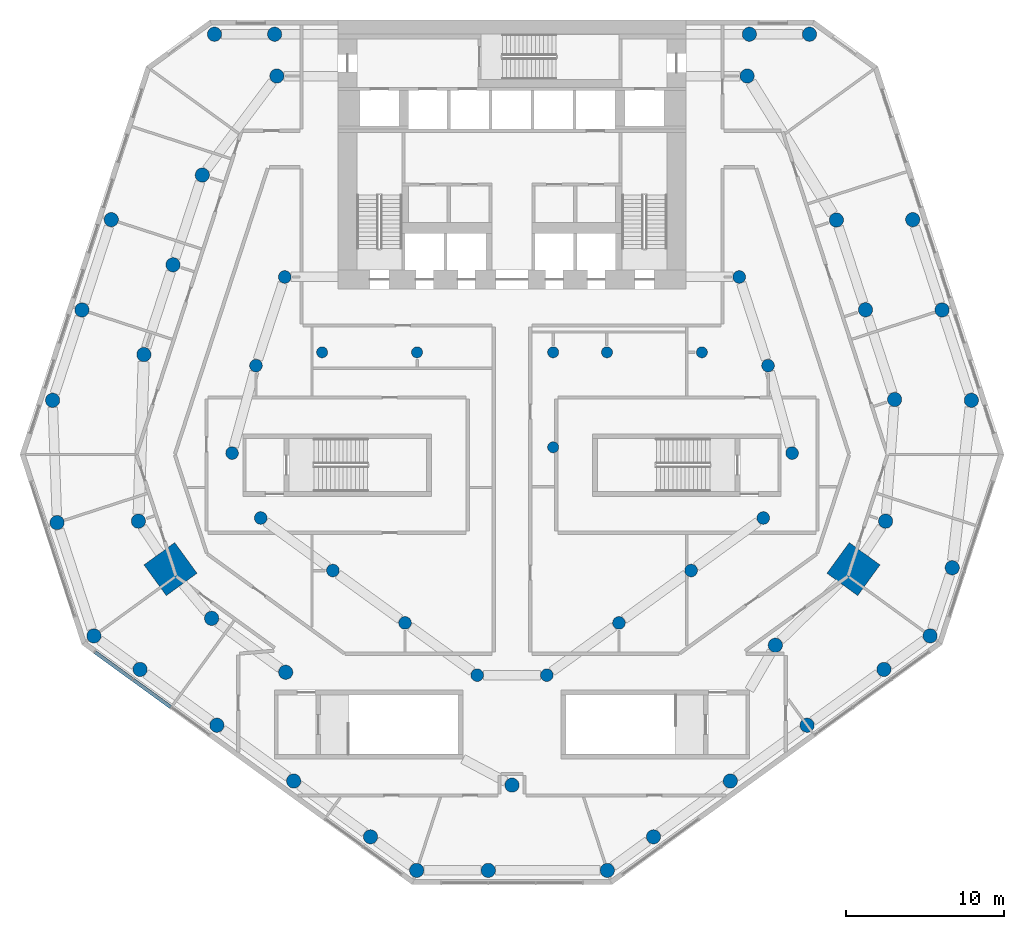
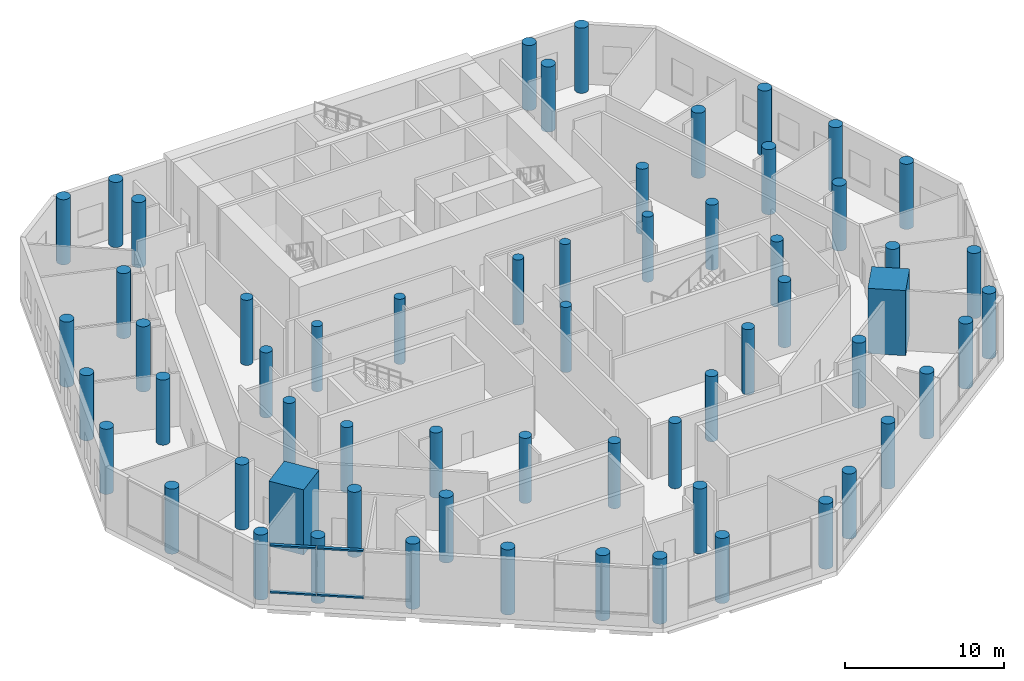
# One storey, part 1 of 15: 61 columns, 4 members, 1 element without a shape of its own.
"""IFC4 building model written with IfcOpenShell, lengths in metres."""

from ifc_helpers import new_model, si_unit, direction, frame, origin, origin_2d, place, context, subcontext, project, spatial, rectangle, circle, extrude, material, material_profile, profile_set, type_object, element, aggregate, save


model = new_model("IFC4")

# Units and contexts
model_context = context("Model", 3, precision=1e-05, world=origin(), true_north=direction((0.0, 1.0)))
body_context = subcontext(model_context, "Body", "Model", "MODEL_VIEW")
ifc_project = project(units=[si_unit("LENGTHUNIT", "METRE"), si_unit("AREAUNIT", "SQUARE_METRE"), si_unit("VOLUMEUNIT", "CUBIC_METRE"), si_unit("PLANEANGLEUNIT", "RADIAN"), si_unit("MASSUNIT", "GRAM", prefix="KILO")], contexts=[model_context])

# Site, building, storey
site_placement = place(None, origin())
site = spatial("IfcSite", under=ifc_project, at=site_placement, CompositionType="ELEMENT")
building_placement = place(site_placement, origin())
building = spatial("IfcBuilding", under=site, at=building_placement, Name="White Candle Pilgrim Tower", CompositionType="ELEMENT")
storey_placement = place(building_placement, frame((0.0, 0.0, 34.0)))
storey = spatial("IfcBuildingStorey", under=building, at=storey_placement, Name="L05", CompositionType="ELEMENT", Elevation=34.0)

# Columns
ifc_material_1 = material(Name="Concrete C80/95", Category="concrete")
ifc_material_profile_1 = material_profile(ifc_material_1, circle(Radius=0.35009765625, at=origin_2d()), Name="RC-COL D700")
ifc_profile_set_1 = profile_set([ifc_material_profile_1], Name="Concrete C80/95")
column_type_1 = type_object("IfcColumnType", Name="Interior column RC-COL D700 C80/95", PredefinedType="COLUMN", material=ifc_profile_set_1)
for number, where, z_axis, x_axis, name in (
    (1, (58.0, 67.0, 0.0), (0.0, 0.0, 1.0), (1.0, 0.0, 0.0), "L05 column I01"),
    (2, (64.0, 67.0, 0.0), (0.0, 0.0, 1.0), (1.0, 0.0, 0.0), "L05 column I02"),
    (3, (72.60009765625, 61.0, 0.0), (0.0, 0.0, 1.0), (1.0, 0.0, 0.0), "L05 column I03"),
    (4, (72.60009765625, 67.0, 0.0), (0.0, 0.0, 1.0), (1.0, 0.0, 0.0), "L05 column I04"),
    (5, (76.0, 67.0, 0.0), (0.0, 0.0, 1.0), (1.0, 0.0, 0.0), "L05 column I05"),
    (6, (82.0, 67.0, 0.0), (0.0, 0.0, 1.0), (1.0, 0.0, 0.0), "L05 column I06"),
):
    element("IfcColumn", number, at=place(storey_placement, frame(where, z_axis=z_axis, x_axis=x_axis)), inside=storey, type_object=column_type_1, Name=name, PredefinedType="COLUMN", context=body_context, shape_type="SweptSolid", body=[
        extrude(circle(Radius=0.35009765625, at=origin_2d()), origin(), (0.0, 0.0, 1.0), 5.0),
    ])
ifc_material_profile_2 = material_profile(ifc_material_1, rectangle(XDim=2.39990234375, YDim=2.39990234375, at=origin_2d()), Name="RC 2400x2400")
ifc_profile_set_2 = profile_set([ifc_material_profile_2], Name="Concrete C80/95")
column_type_2 = type_object("IfcColumnType", Name="Mega column RC 2400x2400 C80/95", PredefinedType="COLUMN", material=ifc_profile_set_2)
for number, where, z_axis, x_axis, name in (
    (7, (48.419921875, 53.300048828125, 0.0), (0.0, 0.0, 1.0), (-0.809016994375, -0.587785252292, 0.0), "L05 mega column T02"),
    (8, (91.580078125, 53.300048828125, 0.0), (0.0, 0.0, 1.0), (0.809016994375, -0.587785252292, 0.0), "L05 mega column T07"),
):
    element("IfcColumn", number, at=place(storey_placement, frame(where, z_axis=z_axis, x_axis=x_axis)), inside=storey, type_object=column_type_2, Name=name, PredefinedType="COLUMN", context=body_context, shape_type="SweptSolid", body=[
        extrude(rectangle(XDim=2.39990234375, YDim=2.39990234375, at=origin_2d()), origin(), (0.0, 0.0, 1.0), 5.0),
    ])
ifc_material_profile_3 = material_profile(ifc_material_1, circle(Radius=0.449951171875, at=origin_2d()), Name="RC-COL D900")
ifc_profile_set_3 = profile_set([ifc_material_profile_3], Name="Concrete C80/95")
column_type_3 = type_object("IfcColumnType", Name="Perimeter column RC-COL D900 C80/95", PredefinedType="COLUMN", material=ifc_profile_set_3)
for number, where, z_axis, x_axis, name in (
    (9, (46.389892578125, 56.330078125, 0.0), (0.0, 0.0, 1.0), (1.0, 0.0, 0.0), "L05 column T01"),
    (10, (51.02001953125, 50.18994140625, 0.0), (0.0, 0.0, 1.0), (1.0, 0.0, 0.0), "L05 column T03"),
    (11, (55.699951171875, 46.780029296875, 0.0), (0.0, 0.0, 1.0), (1.0, 0.0, 0.0), "L05 column T04"),
    (12, (70.0, 39.64990234375, 0.0), (0.0, 0.0, 1.0), (1.0, 0.0, 0.0), "L05 column T05"),
    (13, (86.639892578125, 48.489990234375, 0.0), (0.0, 0.0, 1.0), (1.0, 0.0, 0.0), "L05 column T06"),
    (14, (93.610107421875, 56.330078125, 0.0), (0.0, 0.0, 1.0), (1.0, 0.0, 0.0), "L05 column T08"),
    (15, (94.179931640625, 64.02001953125, 0.0), (0.0, 0.0, 1.0), (1.0, 0.0, 0.0), "L05 column T09"),
    (16, (92.340087890625, 69.68994140625, 0.0), (0.0, 0.0, 1.0), (1.0, 0.0, 0.0), "L05 column T10"),
    (17, (90.5, 75.360107421875, 0.0), (0.0, 0.0, 1.0), (1.0, 0.0, 0.0), "L05 column T11"),
    (18, (84.860107421875, 84.4599609375, 0.0), (0.0, 0.0, 1.0), (1.0, 0.0, 0.0), "L05 column T12"),
    (19, (55.139892578125, 84.4599609375, 0.0), (0.0, 0.0, 1.0), (1.0, 0.0, 0.0), "L05 column T13"),
    (20, (50.429931640625, 78.199951171875, 0.0), (0.0, 0.0, 1.0), (1.0, 0.0, 0.0), "L05 column T14"),
    (21, (48.580078125, 72.530029296875, 0.0), (0.0, 0.0, 1.0), (1.0, 0.0, 0.0), "L05 column T15"),
    (22, (46.739990234375, 66.860107421875, 0.0), (0.0, 0.0, 1.0), (1.0, 0.0, 0.0), "L05 column T16"),
    (23, (41.2529296875, 56.237060546875, 0.0), (0.0, 0.0, 1.0), (1.0, 0.0, 0.0), "L05 column C01"),
    (24, (43.577880859375, 49.0810546875, 0.0), (0.0, 0.0, 1.0), (1.0, 0.0, 0.0), "L05 column C02"),
    (25, (46.49609375, 46.9609375, 0.0), (0.0, 0.0, 1.0), (1.0, 0.0, 0.0), "L05 column C03"),
    (26, (51.35009765625, 43.43408203125, 0.0), (0.0, 0.0, 1.0), (1.0, 0.0, 0.0), "L05 column C04"),
    (27, (56.2041015625, 39.907958984375, 0.0), (0.0, 0.0, 1.0), (1.0, 0.0, 0.0), "L05 column C05"),
    (28, (61.05810546875, 36.381103515625, 0.0), (0.0, 0.0, 1.0), (1.0, 0.0, 0.0), "L05 column C06"),
    (29, (63.97607421875, 34.260986328125, 0.0), (0.0, 0.0, 1.0), (1.0, 0.0, 0.0), "L05 column C07"),
    (30, (68.5, 34.260986328125, 0.0), (0.0, 0.0, 1.0), (1.0, 0.0, 0.0), "L05 column C08"),
    (31, (76.02392578125, 34.260986328125, 0.0), (0.0, 0.0, 1.0), (1.0, 0.0, 0.0), "L05 column C09"),
    (32, (78.94189453125, 36.381103515625, 0.0), (0.0, 0.0, 1.0), (1.0, 0.0, 0.0), "L05 column C10"),
    (33, (83.7958984375, 39.907958984375, 0.0), (0.0, 0.0, 1.0), (1.0, 0.0, 0.0), "L05 column C11"),
    (34, (88.64990234375, 43.43408203125, 0.0), (0.0, 0.0, 1.0), (1.0, 0.0, 0.0), "L05 column C12"),
    (35, (93.50390625, 46.9609375, 0.0), (0.0, 0.0, 1.0), (1.0, 0.0, 0.0), "L05 column C13"),
    (36, (96.422119140625, 49.0810546875, 0.0), (0.0, 0.0, 1.0), (1.0, 0.0, 0.0), "L05 column C14"),
    (37, (97.820068359375, 53.384033203125, 0.0), (0.0, 0.0, 1.0), (1.0, 0.0, 0.0), "L05 column C15"),
    (38, (99.030029296875, 63.968994140625, 0.0), (0.0, 0.0, 1.0), (1.0, 0.0, 0.0), "L05 column C16"),
    (39, (97.176025390625, 69.676025390625, 0.0), (0.0, 0.0, 1.0), (1.0, 0.0, 0.0), "L05 column C17"),
    (40, (95.322021484375, 75.382080078125, 0.0), (0.0, 0.0, 1.0), (1.0, 0.0, 0.0), "L05 column C18"),
    (41, (88.800048828125, 87.10009765625, 0.0), (0.0, 0.0, 1.0), (1.0, 0.0, 0.0), "L05 column C19"),
    (42, (85.0, 87.10009765625, 0.0), (0.0, 0.0, 1.0), (1.0, 0.0, 0.0), "L05 column C20"),
    (43, (55.0, 87.10009765625, 0.0), (0.0, 0.0, 1.0), (1.0, 0.0, 0.0), "L05 column C21"),
    (44, (51.199951171875, 87.10009765625, 0.0), (0.0, 0.0, 1.0), (1.0, 0.0, 0.0), "L05 column C22"),
    (45, (44.677978515625, 75.382080078125, 0.0), (0.0, 0.0, 1.0), (1.0, 0.0, 0.0), "L05 column C23"),
    (46, (42.823974609375, 69.676025390625, 0.0), (0.0, 0.0, 1.0), (1.0, 0.0, 0.0), "L05 column C24"),
    (47, (40.969970703125, 63.968994140625, 0.0), (0.0, 0.0, 1.0), (1.0, 0.0, 0.0), "L05 column C25"),
):
    element("IfcColumn", number, at=place(storey_placement, frame(where, z_axis=z_axis, x_axis=x_axis)), inside=storey, type_object=column_type_3, Name=name, PredefinedType="COLUMN", context=body_context, shape_type="SweptSolid", body=[
        extrude(circle(Radius=0.449951171875, at=origin_2d()), origin(), (0.0, 0.0, 1.0), 5.0),
    ])
ifc_material_profile_4 = material_profile(ifc_material_1, circle(Radius=0.39990234375, at=origin_2d()), Name="RC-COL D800")
ifc_profile_set_4 = profile_set([ifc_material_profile_4], Name="Concrete C80/95")
column_type_4 = type_object("IfcColumnType", Name="Ring column RC-COL D800 C80/95", PredefinedType="COLUMN", material=ifc_profile_set_4)
for number, where, z_axis, x_axis, name in (
    (48, (52.31005859375, 60.6298828125, 0.0), (0.0, 0.0, 1.0), (1.0, 0.0, 0.0), "L05 column R01"),
    (49, (54.1201171875, 56.530029296875, 0.0), (0.0, 0.0, 1.0), (1.0, 0.0, 0.0), "L05 column R02"),
    (50, (58.679931640625, 53.2099609375, 0.0), (0.0, 0.0, 1.0), (1.0, 0.0, 0.0), "L05 column R03"),
    (51, (63.239990234375, 49.89990234375, 0.0), (0.0, 0.0, 1.0), (1.0, 0.0, 0.0), "L05 column R04"),
    (52, (67.800048828125, 46.60009765625, 0.0), (0.0, 0.0, 1.0), (1.0, 0.0, 0.0), "L05 column R05"),
    (53, (72.199951171875, 46.60009765625, 0.0), (0.0, 0.0, 1.0), (1.0, 0.0, 0.0), "L05 column R06"),
    (54, (76.760009765625, 49.89990234375, 0.0), (0.0, 0.0, 1.0), (1.0, 0.0, 0.0), "L05 column R07"),
    (55, (81.320068359375, 53.2099609375, 0.0), (0.0, 0.0, 1.0), (1.0, 0.0, 0.0), "L05 column R08"),
    (56, (85.8798828125, 56.530029296875, 0.0), (0.0, 0.0, 1.0), (1.0, 0.0, 0.0), "L05 column R09"),
    (57, (87.699951171875, 60.6298828125, 0.0), (0.0, 0.0, 1.0), (1.0, 0.0, 0.0), "L05 column R10"),
    (58, (86.179931640625, 66.159912109375, 0.0), (0.0, 0.0, 1.0), (1.0, 0.0, 0.0), "L05 column R11"),
    (59, (84.360107421875, 71.760009765625, 0.0), (0.0, 0.0, 1.0), (1.0, 0.0, 0.0), "L05 column R12"),
    (60, (55.639892578125, 71.760009765625, 0.0), (0.0, 0.0, 1.0), (1.0, 0.0, 0.0), "L05 column R13"),
    (61, (53.820068359375, 66.159912109375, 0.0), (0.0, 0.0, 1.0), (1.0, 0.0, 0.0), "L05 column R14"),
):
    element("IfcColumn", number, at=place(storey_placement, frame(where, z_axis=z_axis, x_axis=x_axis)), inside=storey, type_object=column_type_4, Name=name, PredefinedType="COLUMN", context=body_context, shape_type="SweptSolid", body=[
        extrude(circle(Radius=0.39990234375, at=origin_2d()), origin(), (0.0, 0.0, 1.0), 5.0),
    ])

# Curtain wall, members
ifc_material_2 = material(Name="Aluminium and glass", Category="aluminium")
curtain_wall_type = type_object("IfcCurtainWallType", Name="Curtain wall CW3 refectory and meeting glazing", PredefinedType="NOTDEFINED", material=ifc_material_2)
curtain_wall_placement = place(storey_placement, origin())
curtain_wall = element("IfcCurtainWall", 62, at=curtain_wall_placement, inside=storey, type_object=curtain_wall_type, Name="Curtain wall CW3 L05 SW", PredefinedType="NOTDEFINED")
ifc_material_3 = material(Name="Aluminium", Category="aluminium")
ifc_material_profile_5 = material_profile(ifc_material_3, rectangle(XDim=0.22509765625, YDim=0.1201171875, at=origin_2d()), Name="CW3 transom 120x225")
ifc_profile_set_5 = profile_set([ifc_material_profile_5], Name="Aluminium")
member_type = type_object("IfcMemberType", Name="CW3 transom 120x225", PredefinedType="USERDEFINED", material=ifc_profile_set_5)
member_1_placement = place(storey_placement, frame((43.654541015625, 48.05224609375, 0.9599609375), z_axis=(0.809018973085, -0.587782528822, 0.0), x_axis=(0.587782528822, 0.809018973085, 0.0)))
member_1 = element("IfcMember", 63, at=member_1_placement, type_object=member_type, Name="CW3 transom 1.1", ObjectType="TRANSOM", PredefinedType="USERDEFINED", context=body_context, shape_type="SweptSolid", body=[
    extrude(rectangle(XDim=0.22509765625, YDim=0.1201171875, at=origin_2d()), origin(), (0.0, 0.0, 1.0), 2.909912109375),
])
member_2_placement = place(storey_placement, frame((43.654541015625, 48.05224609375, 4.5400390625), z_axis=(0.809018973085, -0.587782528822, 0.0), x_axis=(0.587782528822, 0.809018973085, 0.0)))
member_2 = element("IfcMember", 64, at=member_2_placement, type_object=member_type, Name="CW3 transom 1.2", ObjectType="TRANSOM", PredefinedType="USERDEFINED", context=body_context, shape_type="SweptSolid", body=[
    extrude(rectangle(XDim=0.22509765625, YDim=0.1201171875, at=origin_2d()), origin(), (0.0, 0.0, 1.0), 2.909912109375),
])
member_3_placement = place(storey_placement, frame((46.057373046875, 46.306396484375, 0.9599609375), z_axis=(0.809016098264, -0.587786485682, 0.0), x_axis=(0.587786485682, 0.809016098264, 0.0)))
member_3 = element("IfcMember", 65, at=member_3_placement, type_object=member_type, Name="CW3 transom 2.1", ObjectType="TRANSOM", PredefinedType="USERDEFINED", context=body_context, shape_type="SweptSolid", body=[
    extrude(rectangle(XDim=0.22509765625, YDim=0.1201171875, at=origin_2d()), origin(), (0.0, 0.0, 1.0), 2.93994140625),
])
member_4_placement = place(storey_placement, frame((46.057373046875, 46.306396484375, 4.5400390625), z_axis=(0.809016098264, -0.587786485682, 0.0), x_axis=(0.587786485682, 0.809016098264, 0.0)))
member_4 = element("IfcMember", 66, at=member_4_placement, type_object=member_type, Name="CW3 transom 2.2", ObjectType="TRANSOM", PredefinedType="USERDEFINED", context=body_context, shape_type="SweptSolid", body=[
    extrude(rectangle(XDim=0.22509765625, YDim=0.1201171875, at=origin_2d()), origin(), (0.0, 0.0, 1.0), 2.93994140625),
])
aggregate(curtain_wall, [member_1, member_2, member_3, member_4])

save(model, "model.ifc")
